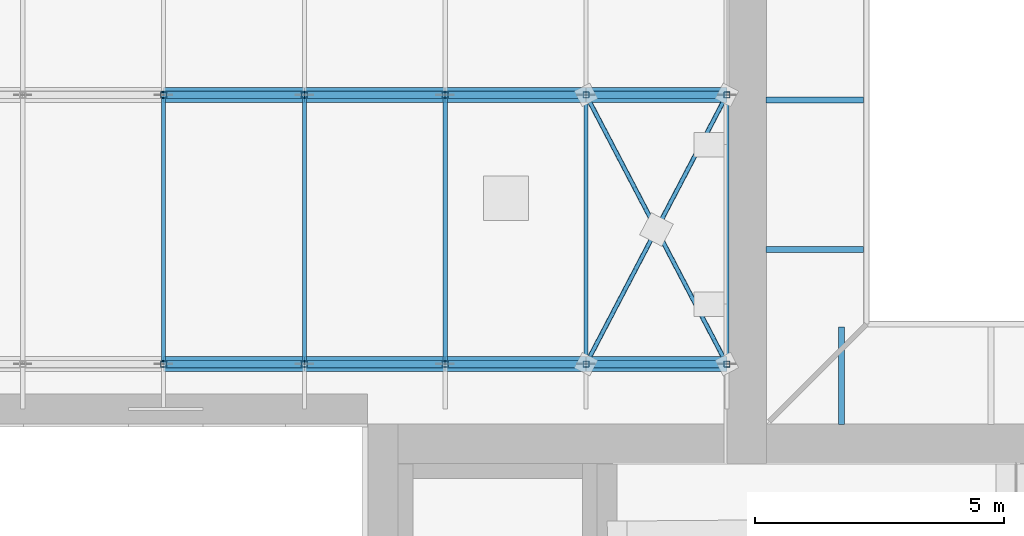
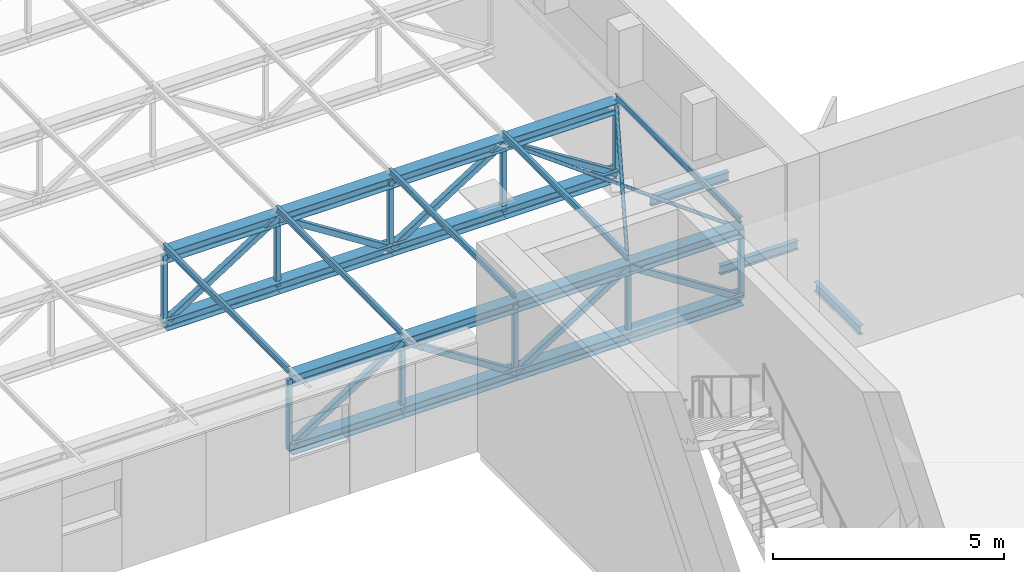
# One storey, part 31 of 132: 45 members.
"""IFC4 building model written with IfcOpenShell, lengths in metres."""

from ifc_helpers import new_model, si_unit, direction, frame, origin, origin_2d, place, context, subcontext, project, spatial, hollow_rectangle, hollow_circle, i_section, extrude, material, material_profile, profile_set, type_object, element, save


model = new_model("IFC4")

# Units and contexts
model_context = context("Model", 3, precision=1e-05, world=origin(), true_north=direction((0.0, 1.0)))
body_context = subcontext(model_context, "Body", "Model", "MODEL_VIEW")
ifc_project = project(units=[si_unit("LENGTHUNIT", "METRE"), si_unit("AREAUNIT", "SQUARE_METRE"), si_unit("VOLUMEUNIT", "CUBIC_METRE"), si_unit("PLANEANGLEUNIT", "RADIAN"), si_unit("MASSUNIT", "GRAM", prefix="KILO")], contexts=[model_context])

# Site, building, storey
site_placement = place(None, origin())
site = spatial("IfcSite", under=ifc_project, at=site_placement, CompositionType="ELEMENT")
building_placement = place(site_placement, origin())
building = spatial("IfcBuilding", under=site, at=building_placement, Name="Lunette Opera House", CompositionType="ELEMENT")
storey_placement = place(building_placement, frame((0.0, 0.0, 17.0)))
storey = spatial("IfcBuildingStorey", under=building, at=storey_placement, Name="L03", CompositionType="ELEMENT", Elevation=17.0)

# Members
ifc_material_1 = material(Name="Steel S355", Category="steel")
ifc_material_profile_1 = material_profile(ifc_material_1, hollow_circle(Radius=0.04443359375, WallThickness=0.00390625, at=origin_2d()), Name="CHS 88.9X4")
ifc_profile_set_1 = profile_set([ifc_material_profile_1], Name="Steel S355")
member_type_1 = type_object("IfcMemberType", Name="BRACING CHS 88.9X4", PredefinedType="BRACE", material=ifc_profile_set_1)
member_1_placement = place(storey_placement, frame((80.375, 97.199951171875, 2.574951171875), z_axis=(0.463530915667, 0.886080747009, 0.0), x_axis=(-0.886080747009, 0.463530915667, 0.0)))
element("IfcMember", 1, at=member_1_placement, inside=storey, type_object=member_type_1, Name="mem-ST-L03-SW-TR-BRQ1P8A", PredefinedType="BRACE", context=body_context, shape_type="SweptSolid", body=[
    extrude(hollow_circle(Radius=0.04443359375, WallThickness=0.00390625, at=origin_2d()), origin(), (0.0, 0.0, 1.0), 6.094482421875),
])
member_2_placement = place(storey_placement, frame((83.199951171875, 97.199951171875, 2.574951171875), z_axis=(-0.463390083074, 0.886154405795, 0.0), x_axis=(-0.886154405795, -0.463390083074, 0.0)))
element("IfcMember", 2, at=member_2_placement, inside=storey, type_object=member_type_1, Name="mem-ST-L03-SW-TR-BRQ1P8B segment 1", PredefinedType="BRACE", context=body_context, shape_type="SweptSolid", body=[
    extrude(hollow_circle(Radius=0.04443359375, WallThickness=0.00390625, at=origin_2d()), origin(), (0.0, 0.0, 1.0), 3.046875),
])
member_3_placement = place(storey_placement, frame((81.7880859375, 99.89990234375, 2.574951171875), z_axis=(-0.463671700413, 0.886007084755, 0.0), x_axis=(-0.886007084755, -0.463671700413, 0.0)))
element("IfcMember", 3, at=member_3_placement, inside=storey, type_object=member_type_1, Name="mem-ST-L03-SW-TR-BRQ1P8B segment 2", PredefinedType="BRACE", context=body_context, shape_type="SweptSolid", body=[
    extrude(hollow_circle(Radius=0.04443359375, WallThickness=0.00390625, at=origin_2d()), origin(), (0.0, 0.0, 1.0), 3.047607421875),
])
ifc_material_2 = material(Name="Steel S355", Category="steel")
ifc_material_profile_2 = material_profile(ifc_material_2, i_section(OverallWidth=0.1201171875, OverallDepth=0.239990234375, WebThickness=0.006103515625, FlangeThickness=0.009765625, FilletRadius=0.014892578125, at=origin_2d()), Name="IPE 240")
ifc_profile_set_2 = profile_set([ifc_material_profile_2], Name="Steel S355")
member_type_2 = type_object("IfcMemberType", Name="BRACKET IPE 240", PredefinedType="MEMBER", material=ifc_profile_set_2)
for number, where, z_axis, x_axis, name in (
    (4, (85.5, 95.989990234375, -0.179931640625), (0.0, 1.0, 0.0), (-1.0, 0.0, 0.0), "mem-ST-L03-FG2-BKS855-959"),
    (5, (83.989990234375, 99.5, -0.179931640625), (1.0, 0.0, 0.0), (0.0, 1.0, 0.0), "mem-ST-L03-FG2-BKW839-995"),
    (6, (83.989990234375, 102.5, -0.179931640625), (1.0, 0.0, 0.0), (0.0, 1.0, 0.0), "mem-ST-L03-FG2-BKW839-1025"),
):
    element("IfcMember", number, at=place(storey_placement, frame(where, z_axis=z_axis, x_axis=x_axis)), inside=storey, type_object=member_type_2, Name=name, PredefinedType="MEMBER", context=body_context, shape_type="SweptSolid", body=[
        extrude(i_section(OverallWidth=0.1201171875, OverallDepth=0.239990234375, WebThickness=0.006103515625, FlangeThickness=0.009765625, FilletRadius=0.014892578125, at=origin_2d()), origin(), (0.0, 0.0, 1.0), 1.949951171875),
    ])
ifc_material_3 = material(Name="Steel S355", Category="steel")
ifc_material_profile_3 = material_profile(ifc_material_3, i_section(OverallWidth=0.300048828125, OverallDepth=0.2900390625, WebThickness=0.008544921875, FlangeThickness=0.013916015625, FilletRadius=0.027099609375, at=origin_2d()), Name="HEA 300")
ifc_profile_set_3 = profile_set([ifc_material_profile_3], Name="Steel S355")
member_type_3 = type_object("IfcMemberType", Name="CHORD HEA 300", PredefinedType="CHORD", material=ifc_profile_set_3)
for number, where, z_axis, x_axis, name in (
    (7, (71.89990234375, 97.199951171875, 2.574951171875), (1.0, 0.0, 0.0), (0.0, 1.0, 0.0), "mem-ST-L03-SW-TR01-TC5"),
    (8, (71.89990234375, 97.199951171875, 0.77490234375), (1.0, 0.0, 0.0), (0.0, 1.0, 0.0), "mem-ST-L03-SW-TR01-BC5"),
):
    element("IfcMember", number, at=place(storey_placement, frame(where, z_axis=z_axis, x_axis=x_axis)), inside=storey, type_object=member_type_3, Name=name, PredefinedType="CHORD", context=body_context, shape_type="SweptSolid", body=[
        extrude(i_section(OverallWidth=0.300048828125, OverallDepth=0.2900390625, WebThickness=0.008544921875, FlangeThickness=0.013916015625, FilletRadius=0.027099609375, at=origin_2d()), origin(), (0.0, 0.0, 1.0), 2.8251953125),
    ])
for number, where, z_axis, x_axis, name in (
    (9, (74.72509765625, 97.199951171875, 2.574951171875), (1.0, 0.0, 0.0), (0.0, 1.0, 0.0), "mem-ST-L03-SW-TR01-TC6"),
    (10, (74.72509765625, 97.199951171875, 0.77490234375), (1.0, 0.0, 0.0), (0.0, 1.0, 0.0), "mem-ST-L03-SW-TR01-BC6"),
    (11, (77.550048828125, 97.199951171875, 2.574951171875), (1.0, 0.0, 0.0), (0.0, 1.0, 0.0), "mem-ST-L03-SW-TR01-TC7"),
    (12, (77.550048828125, 97.199951171875, 0.77490234375), (1.0, 0.0, 0.0), (0.0, 1.0, 0.0), "mem-ST-L03-SW-TR01-BC7"),
    (13, (80.375, 97.199951171875, 2.574951171875), (1.0, 0.0, 0.0), (0.0, 1.0, 0.0), "mem-ST-L03-SW-TR01-TC8"),
    (14, (80.375, 97.199951171875, 0.77490234375), (1.0, 0.0, 0.0), (0.0, 1.0, 0.0), "mem-ST-L03-SW-TR01-BC8"),
):
    element("IfcMember", number, at=place(storey_placement, frame(where, z_axis=z_axis, x_axis=x_axis)), inside=storey, type_object=member_type_3, Name=name, PredefinedType="CHORD", context=body_context, shape_type="SweptSolid", body=[
        extrude(i_section(OverallWidth=0.300048828125, OverallDepth=0.2900390625, WebThickness=0.008544921875, FlangeThickness=0.013916015625, FilletRadius=0.027099609375, at=origin_2d()), origin(), (0.0, 0.0, 1.0), 2.824951171875),
    ])
for number, where, z_axis, x_axis, name in (
    (15, (71.89990234375, 102.60009765625, 2.574951171875), (1.0, 0.0, 0.0), (0.0, 1.0, 0.0), "mem-ST-L03-SW-TR02-TC5"),
    (16, (71.89990234375, 102.60009765625, 0.77490234375), (1.0, 0.0, 0.0), (0.0, 1.0, 0.0), "mem-ST-L03-SW-TR02-BC5"),
):
    element("IfcMember", number, at=place(storey_placement, frame(where, z_axis=z_axis, x_axis=x_axis)), inside=storey, type_object=member_type_3, Name=name, PredefinedType="CHORD", context=body_context, shape_type="SweptSolid", body=[
        extrude(i_section(OverallWidth=0.300048828125, OverallDepth=0.2900390625, WebThickness=0.008544921875, FlangeThickness=0.013916015625, FilletRadius=0.027099609375, at=origin_2d()), origin(), (0.0, 0.0, 1.0), 2.8251953125),
    ])
for number, where, z_axis, x_axis, name in (
    (17, (74.72509765625, 102.60009765625, 2.574951171875), (1.0, 0.0, 0.0), (0.0, 1.0, 0.0), "mem-ST-L03-SW-TR02-TC6"),
    (18, (74.72509765625, 102.60009765625, 0.77490234375), (1.0, 0.0, 0.0), (0.0, 1.0, 0.0), "mem-ST-L03-SW-TR02-BC6"),
    (19, (77.550048828125, 102.60009765625, 2.574951171875), (1.0, 0.0, 0.0), (0.0, 1.0, 0.0), "mem-ST-L03-SW-TR02-TC7"),
    (20, (77.550048828125, 102.60009765625, 0.77490234375), (1.0, 0.0, 0.0), (0.0, 1.0, 0.0), "mem-ST-L03-SW-TR02-BC7"),
    (21, (80.375, 102.60009765625, 2.574951171875), (1.0, 0.0, 0.0), (0.0, 1.0, 0.0), "mem-ST-L03-SW-TR02-TC8"),
    (22, (80.375, 102.60009765625, 0.77490234375), (1.0, 0.0, 0.0), (0.0, 1.0, 0.0), "mem-ST-L03-SW-TR02-BC8"),
):
    element("IfcMember", number, at=place(storey_placement, frame(where, z_axis=z_axis, x_axis=x_axis)), inside=storey, type_object=member_type_3, Name=name, PredefinedType="CHORD", context=body_context, shape_type="SweptSolid", body=[
        extrude(i_section(OverallWidth=0.300048828125, OverallDepth=0.2900390625, WebThickness=0.008544921875, FlangeThickness=0.013916015625, FilletRadius=0.027099609375, at=origin_2d()), origin(), (0.0, 0.0, 1.0), 2.824951171875),
    ])
ifc_material_4 = material(Name="Steel S355", Category="steel")
ifc_material_profile_4 = material_profile(ifc_material_4, hollow_rectangle(XDim=0.14990234375, YDim=0.14990234375, WallThickness=0.006103515625, InnerFilletRadius=0.006103515625, OuterFilletRadius=0.011962890625, at=origin_2d()), Name="RHS 150X150X6")
ifc_profile_set_4 = profile_set([ifc_material_profile_4], Name="Steel S355")
member_type_4 = type_object("IfcMemberType", Name="DIAGONAL RHS 150X150X6", PredefinedType="BRACE", material=ifc_profile_set_4)
member_4_placement = place(storey_placement, frame((71.89990234375, 97.199951171875, 0.77490234375), z_axis=(0.843364266472, 0.0, 0.537342268985), x_axis=(0.0, 1.0, 0.0)))
element("IfcMember", 23, at=member_4_placement, inside=storey, type_object=member_type_4, Name="mem-ST-L03-SW-TR01-TD5", PredefinedType="BRACE", context=body_context, shape_type="SweptSolid", body=[
    extrude(hollow_rectangle(XDim=0.14990234375, YDim=0.14990234375, WallThickness=0.006103515625, InnerFilletRadius=0.006103515625, OuterFilletRadius=0.011962890625, at=origin_2d()), origin(), (0.0, 0.0, 1.0), 3.349853515625),
])
for number, where, z_axis, x_axis, name in (
    (24, (74.72509765625, 97.199951171875, 2.574951171875), (0.843343221477, 0.0, -0.537375297896), (0.0, 1.0, 0.0), "mem-ST-L03-SW-TR01-TD6"),
    (25, (77.550048828125, 97.199951171875, 0.77490234375), (0.843343221477, 0.0, 0.537375297896), (0.0, 1.0, 0.0), "mem-ST-L03-SW-TR01-TD7"),
    (26, (80.375, 97.199951171875, 2.574951171875), (0.843343221477, 0.0, -0.537375297896), (0.0, 1.0, 0.0), "mem-ST-L03-SW-TR01-TD8"),
):
    element("IfcMember", number, at=place(storey_placement, frame(where, z_axis=z_axis, x_axis=x_axis)), inside=storey, type_object=member_type_4, Name=name, PredefinedType="BRACE", context=body_context, shape_type="SweptSolid", body=[
        extrude(hollow_rectangle(XDim=0.14990234375, YDim=0.14990234375, WallThickness=0.006103515625, InnerFilletRadius=0.006103515625, OuterFilletRadius=0.011962890625, at=origin_2d()), origin(), (0.0, 0.0, 1.0), 3.349609375),
    ])
member_5_placement = place(storey_placement, frame((71.89990234375, 102.60009765625, 0.77490234375), z_axis=(0.843364266472, 0.0, 0.537342268985), x_axis=(0.0, 1.0, 0.0)))
element("IfcMember", 27, at=member_5_placement, inside=storey, type_object=member_type_4, Name="mem-ST-L03-SW-TR02-TD5", PredefinedType="BRACE", context=body_context, shape_type="SweptSolid", body=[
    extrude(hollow_rectangle(XDim=0.14990234375, YDim=0.14990234375, WallThickness=0.006103515625, InnerFilletRadius=0.006103515625, OuterFilletRadius=0.011962890625, at=origin_2d()), origin(), (0.0, 0.0, 1.0), 3.349853515625),
])
for number, where, z_axis, x_axis, name in (
    (28, (74.72509765625, 102.60009765625, 2.574951171875), (0.843343221477, 0.0, -0.537375297896), (0.0, 1.0, 0.0), "mem-ST-L03-SW-TR02-TD6"),
    (29, (77.550048828125, 102.60009765625, 0.77490234375), (0.843343221477, 0.0, 0.537375297896), (0.0, 1.0, 0.0), "mem-ST-L03-SW-TR02-TD7"),
    (30, (80.375, 102.60009765625, 2.574951171875), (0.843343221477, 0.0, -0.537375297896), (0.0, 1.0, 0.0), "mem-ST-L03-SW-TR02-TD8"),
):
    element("IfcMember", number, at=place(storey_placement, frame(where, z_axis=z_axis, x_axis=x_axis)), inside=storey, type_object=member_type_4, Name=name, PredefinedType="BRACE", context=body_context, shape_type="SweptSolid", body=[
        extrude(hollow_rectangle(XDim=0.14990234375, YDim=0.14990234375, WallThickness=0.006103515625, InnerFilletRadius=0.006103515625, OuterFilletRadius=0.011962890625, at=origin_2d()), origin(), (0.0, 0.0, 1.0), 3.349609375),
    ])
ifc_material_5 = material(Name="Steel S355", Category="steel")
ifc_material_profile_5 = material_profile(ifc_material_5, i_section(OverallWidth=0.08203125, OverallDepth=0.159912109375, WebThickness=0.0048828125, FlangeThickness=0.00732421875, FilletRadius=0.009033203125, at=origin_2d()), Name="IPE 160")
ifc_profile_set_5 = profile_set([ifc_material_profile_5], Name="Steel S355")
member_type_5 = type_object("IfcMemberType", Name="PURLIN IPE 160", PredefinedType="PURLIN", material=ifc_profile_set_5)
for number, where, z_axis, x_axis, name in (
    (31, (71.89990234375, 97.199951171875, 2.800048828125), (0.0, 1.0, 0.0), (-1.0, 0.0, 0.0), "mem-ST-L03-SW-TR-PU5-2"),
    (32, (74.72509765625, 97.199951171875, 2.800048828125), (0.0, 1.0, 0.0), (-1.0, 0.0, 0.0), "mem-ST-L03-SW-TR-PU6-2"),
    (33, (77.550048828125, 97.199951171875, 2.800048828125), (0.0, 1.0, 0.0), (-1.0, 0.0, 0.0), "mem-ST-L03-SW-TR-PU7-2"),
    (34, (80.375, 97.199951171875, 2.800048828125), (0.0, 1.0, 0.0), (-1.0, 0.0, 0.0), "mem-ST-L03-SW-TR-PU8-2"),
    (35, (83.199951171875, 97.199951171875, 2.800048828125), (0.0, 1.0, 0.0), (-1.0, 0.0, 0.0), "mem-ST-L03-SW-TR-PU9-2"),
):
    element("IfcMember", number, at=place(storey_placement, frame(where, z_axis=z_axis, x_axis=x_axis)), inside=storey, type_object=member_type_5, Name=name, PredefinedType="PURLIN", context=body_context, shape_type="SweptSolid", body=[
        extrude(i_section(OverallWidth=0.08203125, OverallDepth=0.159912109375, WebThickness=0.0048828125, FlangeThickness=0.00732421875, FilletRadius=0.009033203125, at=origin_2d()), origin(), (0.0, 0.0, 1.0), 5.400146484375),
    ])
ifc_material_6 = material(Name="Steel S355", Category="steel")
ifc_material_profile_6 = material_profile(ifc_material_6, hollow_rectangle(XDim=0.1201171875, YDim=0.1201171875, WallThickness=0.0048828125, InnerFilletRadius=0.0048828125, OuterFilletRadius=0.010009765625, at=origin_2d()), Name="RHS 120X120X5")
ifc_profile_set_6 = profile_set([ifc_material_profile_6], Name="Steel S355")
member_type_6 = type_object("IfcMemberType", Name="VERTICAL RHS 120X120X5", PredefinedType="POST", material=ifc_profile_set_6)
for number, where, z_axis, x_axis, name in (
    (36, (71.89990234375, 97.199951171875, 0.77490234375), (0.0, 0.0, 1.0), (1.0, 0.0, 0.0), "mem-ST-L03-SW-TR01-TV5"),
    (37, (74.72509765625, 97.199951171875, 0.77490234375), (0.0, 0.0, 1.0), (1.0, 0.0, 0.0), "mem-ST-L03-SW-TR01-TV6"),
    (38, (77.550048828125, 97.199951171875, 0.77490234375), (0.0, 0.0, 1.0), (1.0, 0.0, 0.0), "mem-ST-L03-SW-TR01-TV7"),
    (39, (80.375, 97.199951171875, 0.77490234375), (0.0, 0.0, 1.0), (1.0, 0.0, 0.0), "mem-ST-L03-SW-TR01-TV8"),
    (40, (83.199951171875, 97.199951171875, 0.77490234375), (0.0, 0.0, 1.0), (1.0, 0.0, 0.0), "mem-ST-L03-SW-TR01-TV9"),
    (41, (71.89990234375, 102.60009765625, 0.77490234375), (0.0, 0.0, 1.0), (1.0, 0.0, 0.0), "mem-ST-L03-SW-TR02-TV5"),
    (42, (74.72509765625, 102.60009765625, 0.77490234375), (0.0, 0.0, 1.0), (1.0, 0.0, 0.0), "mem-ST-L03-SW-TR02-TV6"),
    (43, (77.550048828125, 102.60009765625, 0.77490234375), (0.0, 0.0, 1.0), (1.0, 0.0, 0.0), "mem-ST-L03-SW-TR02-TV7"),
    (44, (80.375, 102.60009765625, 0.77490234375), (0.0, 0.0, 1.0), (1.0, 0.0, 0.0), "mem-ST-L03-SW-TR02-TV8"),
    (45, (83.199951171875, 102.60009765625, 0.77490234375), (0.0, 0.0, 1.0), (1.0, 0.0, 0.0), "mem-ST-L03-SW-TR02-TV9"),
):
    element("IfcMember", number, at=place(storey_placement, frame(where, z_axis=z_axis, x_axis=x_axis)), inside=storey, type_object=member_type_6, Name=name, PredefinedType="POST", context=body_context, shape_type="SweptSolid", body=[
        extrude(hollow_rectangle(XDim=0.1201171875, YDim=0.1201171875, WallThickness=0.0048828125, InnerFilletRadius=0.0048828125, OuterFilletRadius=0.010009765625, at=origin_2d()), origin(), (0.0, 0.0, 1.0), 1.800048828125),
    ])

save(model, "model.ifc")
